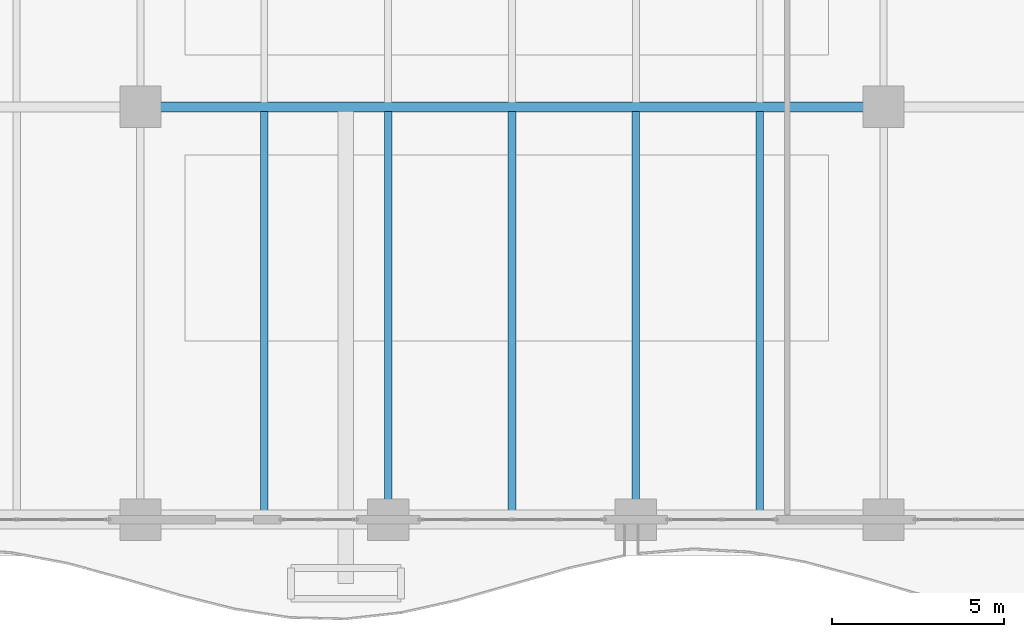
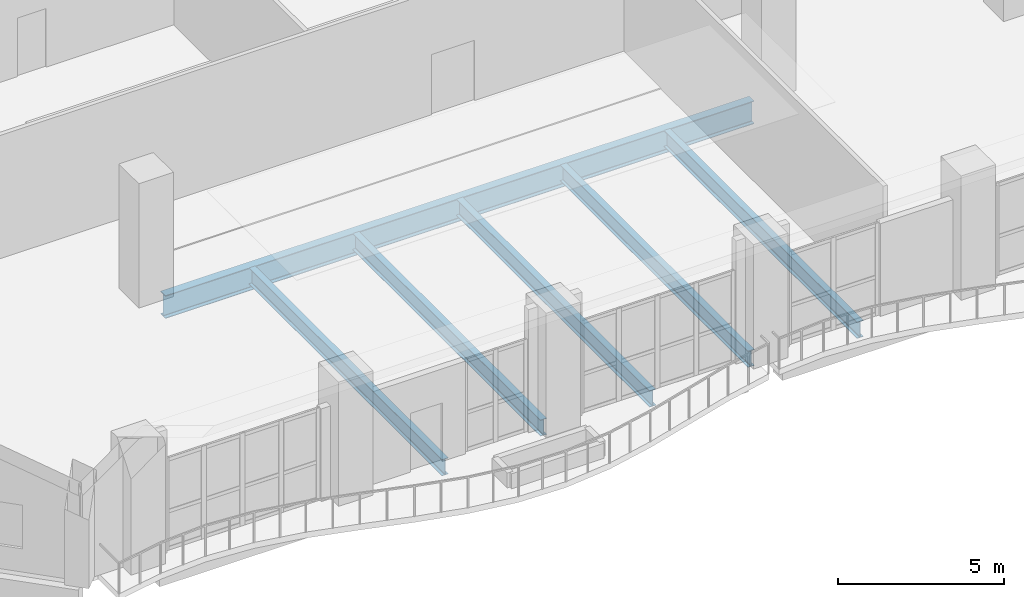
# One storey, part 7 of 37: 6 beams.
"""IFC4 building model written with IfcOpenShell, lengths in metres."""

from ifc_helpers import new_model, si_unit, direction, frame, origin, origin_2d, place, context, subcontext, project, spatial, i_section, extrude, material, material_profile, profile_set, type_object, element, save


model = new_model("IFC4")

# Units and contexts
model_context = context("Model", 3, precision=1e-05, world=origin(), true_north=direction((0.0, 1.0)))
body_context = subcontext(model_context, "Body", "Model", "MODEL_VIEW")
ifc_project = project(units=[si_unit("LENGTHUNIT", "METRE"), si_unit("AREAUNIT", "SQUARE_METRE"), si_unit("VOLUMEUNIT", "CUBIC_METRE"), si_unit("PLANEANGLEUNIT", "RADIAN"), si_unit("MASSUNIT", "GRAM", prefix="KILO")], contexts=[model_context])

# Site, building, storey
site_placement = place(None, origin())
site = spatial("IfcSite", under=ifc_project, at=site_placement, CompositionType="ELEMENT")
building_placement = place(site_placement, origin())
building = spatial("IfcBuilding", under=site, at=building_placement, Name="Kaelvorn Grand Hotel", CompositionType="ELEMENT")
storey_placement = place(building_placement, frame((0.0, 0.0, 224.35009765625)))
storey = spatial("IfcBuildingStorey", under=building, at=storey_placement, Name="L55", CompositionType="ELEMENT", Elevation=224.35009765625)

# Beams
ifc_material = material(Name="Steel S355", Category="steel")
ifc_material_profile_1 = material_profile(ifc_material, i_section(OverallWidth=0.29248046875, OverallDepth=0.8408203125, WebThickness=0.0146484375, FlangeThickness=0.021728515625, FilletRadius=0.017822265625, at=origin_2d()), Name="UB 838x292x194")
ifc_profile_set_1 = profile_set([ifc_material_profile_1], Name="Steel S355")
beam_type_1 = type_object("IfcBeamType", Name="BM-G-UB838-S355", PredefinedType="BEAM", material=ifc_profile_set_1)
beam_1_placement = place(storey_placement, frame((16.784912109375, 15.0, -0.660400390625), z_axis=(1.0, 0.0, 0.0), x_axis=(0.0, 1.0, 0.0)))
element("IfcBeam", 1, at=beam_1_placement, inside=storey, type_object=beam_type_1, Name="L55 Primary Spine Steel Girder G-15 03", PredefinedType="BEAM", context=body_context, shape_type="SweptSolid", body=[
    extrude(i_section(OverallWidth=0.29248046875, OverallDepth=0.8408203125, WebThickness=0.0146484375, FlangeThickness=0.021728515625, FilletRadius=0.017822265625, at=origin_2d()), origin(), (0.0, 0.0, 1.0), 20.43017578125),
])
ifc_material_profile_2 = material_profile(ifc_material, i_section(OverallWidth=0.219970703125, OverallDepth=0.60009765625, WebThickness=0.011962890625, FlangeThickness=0.01904296875, FilletRadius=0.02392578125, at=origin_2d()), Name="IPE 600")
ifc_profile_set_2 = profile_set([ifc_material_profile_2], Name="Steel S355")
beam_type_2 = type_object("IfcBeamType", Name="BM-J-IPE600-S355", PredefinedType="JOIST", material=ifc_profile_set_2)
beam_2_placement = place(storey_placement, frame((19.800048828125, 3.260009765625, -0.5400390625), z_axis=(0.0, 1.0, 0.0), x_axis=(-1.0, 0.0, 0.0)))
element("IfcBeam", 2, at=beam_2_placement, inside=storey, type_object=beam_type_2, Name="L55 Composite Floor Joist JS-06", PredefinedType="JOIST", context=body_context, shape_type="SweptSolid", body=[
    extrude(i_section(OverallWidth=0.219970703125, OverallDepth=0.60009765625, WebThickness=0.011962890625, FlangeThickness=0.01904296875, FilletRadius=0.02392578125, at=origin_2d()), origin(), (0.0, 0.0, 1.0), 11.60888671875),
])
beam_3_placement = place(storey_placement, frame((23.39990234375, 3.5849609375, -0.5400390625), z_axis=(0.0, 1.0, 0.0), x_axis=(-1.0, 0.0, 0.0)))
element("IfcBeam", 3, at=beam_3_placement, inside=storey, type_object=beam_type_2, Name="L55 Composite Floor Joist JS-07", PredefinedType="JOIST", context=body_context, shape_type="SweptSolid", body=[
    extrude(i_section(OverallWidth=0.219970703125, OverallDepth=0.60009765625, WebThickness=0.011962890625, FlangeThickness=0.01904296875, FilletRadius=0.02392578125, at=origin_2d()), origin(), (0.0, 0.0, 1.0), 11.283935546875),
])
beam_4_placement = place(storey_placement, frame((27.0, 3.260009765625, -0.5400390625), z_axis=(0.0, 1.0, 0.0), x_axis=(-1.0, 0.0, 0.0)))
element("IfcBeam", 4, at=beam_4_placement, inside=storey, type_object=beam_type_2, Name="L55 Composite Floor Joist JS-08", PredefinedType="JOIST", context=body_context, shape_type="SweptSolid", body=[
    extrude(i_section(OverallWidth=0.219970703125, OverallDepth=0.60009765625, WebThickness=0.011962890625, FlangeThickness=0.01904296875, FilletRadius=0.02392578125, at=origin_2d()), origin(), (0.0, 0.0, 1.0), 11.60888671875),
])
beam_5_placement = place(storey_placement, frame((30.60009765625, 3.5849609375, -0.5400390625), z_axis=(0.0, 1.0, 0.0), x_axis=(-1.0, 0.0, 0.0)))
element("IfcBeam", 5, at=beam_5_placement, inside=storey, type_object=beam_type_2, Name="L55 Composite Floor Joist JS-09", PredefinedType="JOIST", context=body_context, shape_type="SweptSolid", body=[
    extrude(i_section(OverallWidth=0.219970703125, OverallDepth=0.60009765625, WebThickness=0.011962890625, FlangeThickness=0.01904296875, FilletRadius=0.02392578125, at=origin_2d()), origin(), (0.0, 0.0, 1.0), 11.283935546875),
])
beam_6_placement = place(storey_placement, frame((34.199951171875, 3.260009765625, -0.5400390625), z_axis=(0.0, 1.0, 0.0), x_axis=(-1.0, 0.0, 0.0)))
element("IfcBeam", 6, at=beam_6_placement, inside=storey, type_object=beam_type_2, Name="L55 Composite Floor Joist JS-10", PredefinedType="JOIST", context=body_context, shape_type="SweptSolid", body=[
    extrude(i_section(OverallWidth=0.219970703125, OverallDepth=0.60009765625, WebThickness=0.011962890625, FlangeThickness=0.01904296875, FilletRadius=0.02392578125, at=origin_2d()), origin(), (0.0, 0.0, 1.0), 11.60888671875),
])

save(model, "model.ifc")
